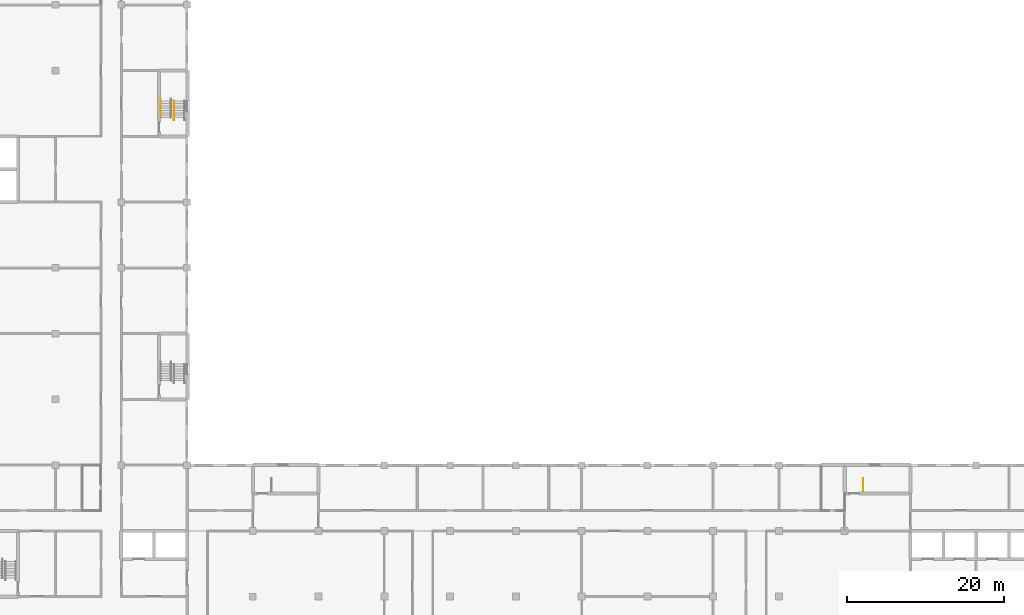
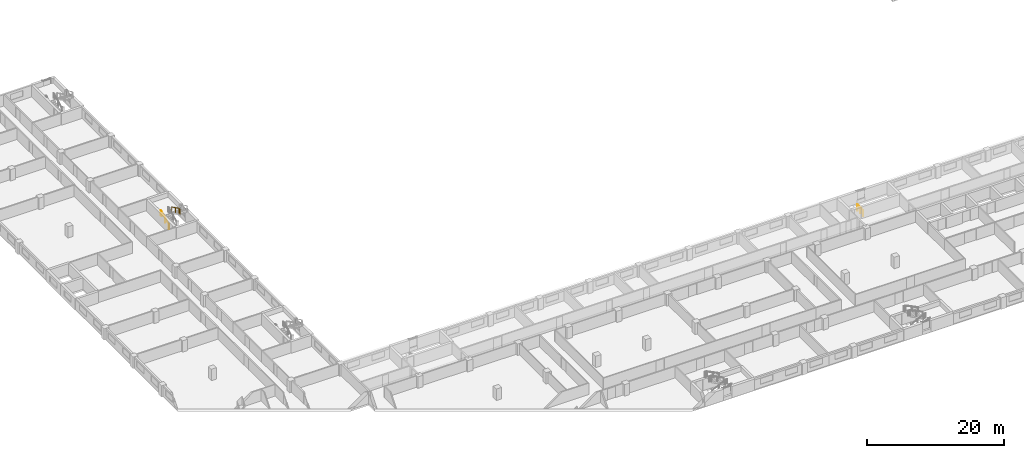
# One storey, part 46 of 48: 3 railings.
"""IFC4 building model written with IfcOpenShell, lengths in metres."""

import ifcopenshell
import ifcopenshell.guid

model = None  # the IFC model being written
_history = None  # IfcOwnerHistory: only IFC2X3 demands one
_inside = {}  # id of a spatial element -> (the spatial element, [elements in it])
_under = {}  # id of a project, library or spatial element -> (it, [spatial elements below it])
_declared = {}  # id of a project -> (the project, [libraries it declares])
_typed = {}  # id of a type object -> (the type object, [elements of that type])
_made_of = {}  # id of a material, layer set ... -> (it, [elements and type objects made of it])


def new_model(schema):
    """Start an empty IFC model of exactly this schema.

    Asked for "IFC4X3", IfcOpenShell would pick the latest addendum, in which some entities
    have other attributes; the version numbers below select the first issue.
    IFC2X3 requires an IfcOwnerHistory on every rooted entity: one is made here for all.
    """
    global model, _history
    if schema == "IFC4X3":
        model = ifcopenshell.file(schema_version=(4, 3, 0, 0))
    else:
        model = ifcopenshell.file(schema=schema)
    _inside.clear()
    _under.clear()
    _declared.clear()
    _typed.clear()
    _made_of.clear()
    _history = None
    if model.schema == "IFC2X3":
        org = make("IfcOrganization", Name="unknown")
        user = make(
            "IfcPersonAndOrganization",
            ThePerson=make("IfcPerson", FamilyName="unknown"),
            TheOrganization=org,
        )
        app = make(
            "IfcApplication",
            ApplicationDeveloper=org,
            Version="unknown",
            ApplicationFullName="unknown",
            ApplicationIdentifier="unknown",
        )
        _history = make(
            "IfcOwnerHistory",
            OwningUser=user,
            OwningApplication=app,
            ChangeAction="ADDED",
            CreationDate=0,
        )
    return model


def make(cls, **values):
    """One entity of the class cls with the attributes given. An attribute that is None is left unset."""
    return model.create_entity(
        cls, **{name: value for name, value in values.items() if value is not None}
    )


def rooted(cls, **values):
    """An entity with a GlobalId (a new one), such as an element, a storey or a relation."""
    return make(cls, GlobalId=ifcopenshell.guid.new(), OwnerHistory=_history, **values)


def si_unit(unit_type, name, prefix=None):
    """IfcSIUnit, for example si_unit("LENGTHUNIT", "METRE", prefix="MILLI")."""
    return make("IfcSIUnit", UnitType=unit_type, Prefix=prefix, Name=name)


def assignment(units):
    """IfcUnitAssignment: the units of a project."""
    return None if units is None else make("IfcUnitAssignment", Units=units)


def point(xyz):
    """IfcCartesianPoint."""
    return None if xyz is None else make("IfcCartesianPoint", Coordinates=xyz)


def direction(xyz):
    """IfcDirection."""
    return None if xyz is None else make("IfcDirection", DirectionRatios=xyz)


def frame(location, z_axis=None, x_axis=None):
    """IfcAxis2Placement3D, a coordinate frame: its origin and axes. An axis left out is left unset."""
    return make(
        "IfcAxis2Placement3D",
        Location=point(location),
        Axis=direction(z_axis),
        RefDirection=direction(x_axis),
    )


def frame_2d(location, x_axis=None):
    """IfcAxis2Placement2D, a coordinate frame in the plane: its origin and x axis."""
    return make(
        "IfcAxis2Placement2D", Location=point(location), RefDirection=direction(x_axis)
    )


def origin():
    """The frame at (0, 0, 0) with its axes left unset."""
    return frame((0.0, 0.0, 0.0))


def origin_2d():
    """The frame at (0, 0) in the plane with its x axis left unset."""
    return frame_2d((0.0, 0.0))


def place(relative_to, where):
    """IfcLocalPlacement: puts the frame where relative to a parent placement (None: the world)."""
    return make(
        "IfcLocalPlacement", PlacementRelTo=relative_to, RelativePlacement=where
    )


def context(
    kind, dimensions, precision=None, world=None, true_north=None, identifier=None
):
    """IfcGeometricRepresentationContext, for example the 3D "Model" context."""
    return make(
        "IfcGeometricRepresentationContext",
        ContextIdentifier=identifier,
        ContextType=kind,
        CoordinateSpaceDimension=dimensions,
        Precision=precision,
        WorldCoordinateSystem=world,
        TrueNorth=true_north,
    )


def subcontext(parent, identifier, kind, view, scale=None):
    """IfcGeometricRepresentationSubContext, for example "Body" below "Model"."""
    return make(
        "IfcGeometricRepresentationSubContext",
        ContextIdentifier=identifier,
        ContextType=kind,
        ParentContext=parent,
        TargetScale=scale,
        TargetView=view,
    )


def project(units=None, contexts=None):
    """IfcProject with its units and contexts."""
    return rooted(
        "IfcProject",
        Name="project",
        RepresentationContexts=contexts,
        UnitsInContext=assignment(units),
    )


def spatial(cls, under=None, at=None, **own):
    """A site, building, storey or space (cls), placed at a placement, below another one or the project."""
    s = rooted(cls, ObjectPlacement=at, **own)
    if under is not None:
        _under.setdefault(under.id(), (under, []))[1].append(s)
    return s


def profile(cls, at=None, kind="AREA", **sizes):
    """A parametric profile (cls). Its sizes go by their IFC names, for example OverallWidth=200.0."""
    return make(cls, ProfileType=kind, Position=at, **sizes)


def circle(**sizes):
    """IfcCircleProfileDef."""
    return profile("IfcCircleProfileDef", **sizes)


def extrude(swept, where, along, depth):
    """IfcExtrudedAreaSolid: the profile swept, set in the frame where, extruded along a direction by depth."""
    return make(
        "IfcExtrudedAreaSolid",
        SweptArea=swept,
        Position=where,
        ExtrudedDirection=direction(along),
        Depth=depth,
    )


def shape(context_of_items, identifier, shape_type, items):
    """IfcShapeRepresentation: the items that make up one representation, for example the "Body"."""
    return make(
        "IfcShapeRepresentation",
        ContextOfItems=context_of_items,
        RepresentationIdentifier=identifier,
        RepresentationType=shape_type,
        Items=items,
    )


def material(Name=None, Category=None):
    """IfcMaterial."""
    return make("IfcMaterial", Name=Name, Category=Category)


def made_of(thing, what):
    """Note that an element or type object is made of a material, layer set ...; save() writes the relation."""
    if what is not None:
        _made_of.setdefault(what.id(), (what, []))[1].append(thing)
    return thing


def type_object(cls, material=None, **own):
    """A type object (cls), such as IfcWallType, which elements share."""
    return made_of(rooted(cls, **own), material)


def element(
    cls,
    number,
    at=None,
    inside=None,
    cuts=None,
    type_object=None,
    material=None,
    context=None,
    identifier="Body",
    shape_type=None,
    held_by="IfcProductDefinitionShape",
    body=None,
    shapes=None,
    **own,
):
    """One element of the class cls, such as IfcWall. Its Tag is "e" and its number.

    at: its placement. inside: the storey or other place that contains it. cuts: it is an
    opening in that element (IfcRelVoidsElement). A single representation is given by context,
    identifier, shape_type and body (its items); several are given by shapes. held_by: the class
    of the entity that holds the representations. save() writes the other relations.
    """
    e = rooted(cls, Tag="e%d" % number, ObjectPlacement=at, **own)
    if body is not None:
        shapes = [shape(context, identifier, shape_type, body)]
    if shapes is not None:
        e.Representation = make(held_by, Representations=shapes)
    if inside is not None:
        _inside.setdefault(inside.id(), (inside, []))[1].append(e)
    if cuts is not None:
        rooted(
            "IfcRelVoidsElement", RelatingBuildingElement=cuts, RelatedOpeningElement=e
        )
    if type_object is not None:
        _typed.setdefault(type_object.id(), (type_object, []))[1].append(e)
    return made_of(e, material)


def aggregate(whole, parts):
    """IfcRelAggregates: a whole, such as a stair, and the parts it consists of."""
    return rooted("IfcRelAggregates", RelatingObject=whole, RelatedObjects=parts)


def save(model, path):
    """Write the relations noted so far, then the file.

    IfcRelAggregates (storeys below a building ...), IfcRelContainedInSpatialStructure (elements
    in a storey), IfcRelDefinesByType, IfcRelAssociatesMaterial and IfcRelDeclares: one each for
    every whole, place, type object, material and project.
    """
    for whole, parts in _under.values():
        aggregate(whole, parts)
    for where, things in _inside.values():
        rooted(
            "IfcRelContainedInSpatialStructure",
            RelatedElements=things,
            RelatingStructure=where,
        )
    for kind, things in _typed.values():
        rooted("IfcRelDefinesByType", RelatedObjects=things, RelatingType=kind)
    for what, things in _made_of.values():
        rooted("IfcRelAssociatesMaterial", RelatedObjects=things, RelatingMaterial=what)
    for by, libraries in _declared.values():
        rooted("IfcRelDeclares", RelatingContext=by, RelatedDefinitions=libraries)
    model.write(path)


model = new_model("IFC4")

# Units and contexts
model_context = context("Model", 3, precision=1e-05, world=origin(), true_north=direction((0.0, 1.0)))
body_context = subcontext(model_context, "Body", "Model", "MODEL_VIEW")
ifc_project = project(units=[si_unit("LENGTHUNIT", "METRE"), si_unit("AREAUNIT", "SQUARE_METRE"), si_unit("VOLUMEUNIT", "CUBIC_METRE"), si_unit("PLANEANGLEUNIT", "RADIAN"), si_unit("MASSUNIT", "GRAM", prefix="KILO")], contexts=[model_context])

# Site, building, storey
site_placement = place(None, origin())
site = spatial("IfcSite", under=ifc_project, at=site_placement, CompositionType="ELEMENT")
building_placement = place(site_placement, origin())
building = spatial("IfcBuilding", under=site, at=building_placement, Name="Yavir Park General Hospital", CompositionType="ELEMENT")
storey_placement = place(building_placement, frame((0.0, 0.0, 12.89990234375)))
storey = spatial("IfcBuildingStorey", under=building, at=storey_placement, Name="I02", CompositionType="ELEMENT", Elevation=12.89990234375)

# Railings
ifc_material_1 = material(Name="Steel balustrade with infill rods", Category="steel")
railing_type_1 = type_object("IfcRailingType", Name="Stair guard, steel balustrade 1100 mm", PredefinedType="GUARDRAIL", material=ifc_material_1)
railing_1_placement = place(storey_placement, frame((111.570068359375, 30.22998046875, 0.0)))
element("IfcRailing", 1, at=railing_1_placement, inside=storey, type_object=railing_type_1, Name="Stair well guard PN2 I02", PredefinedType="GUARDRAIL", context=body_context, shape_type="SweptSolid", body=[
    extrude(circle(Radius=0.02392578125, at=origin_2d()), frame((0.0, 0.0, 1.076171875), z_axis=(0.0, 1.0, 0.0), x_axis=(-1.0, 0.0, 0.0)), (0.0, 0.0, 1.0), 1.669921875),
    extrude(circle(Radius=0.02099609375, at=origin_2d()), origin(), (0.0, 0.0, 1.0), 1.052001953125),
    extrude(circle(Radius=0.02099609375, at=origin_2d()), frame((0.0, 0.8349609375, 0.0)), (0.0, 0.0, 1.0), 1.052001953125),
    extrude(circle(Radius=0.02099609375, at=origin_2d()), frame((0.0, 1.669921875, 0.0)), (0.0, 0.0, 1.0), 1.052001953125),
])
ifc_material_2 = material(Name="Stainless steel tube 48 mm", Category="steel")
railing_type_2 = type_object("IfcRailingType", Name="Stair handrail, steel tube, 900 mm above the nosings", PredefinedType="HANDRAIL", material=ifc_material_2)
railing_2_placement = place(storey_placement, frame((21.840087890625, 78.0, 0.150146484375)))
element("IfcRailing", 2, at=railing_2_placement, inside=storey, type_object=railing_type_2, Name="Handrail SW2 I02 1", PredefinedType="HANDRAIL", context=body_context, shape_type="SweptSolid", body=[
    extrude(circle(Radius=0.02392578125, at=origin_2d()), frame((0.0, 0.0, 0.8759765625), z_axis=(0.0, 0.894427191, 0.4472135955), x_axis=(-1.0, 0.0, 0.0)), (0.0, 0.0, 1.0), 2.347900390625),
    extrude(circle(Radius=0.02392578125, at=origin_2d()), frame((0.0, 2.10009765625, 1.92578125), z_axis=(0.0, 1.0, 0.0), x_axis=(-1.0, 0.0, 0.0)), (0.0, 0.0, 1.0), 0.2998046875),
    extrude(circle(Radius=0.02099609375, at=origin_2d()), origin(), (0.0, 0.0, 1.0), 0.851806640625),
    extrude(circle(Radius=0.02099609375, at=origin_2d()), frame((0.0, 1.050048828125, 0.52490234375)), (0.0, 0.0, 1.0), 0.851806640625),
    extrude(circle(Radius=0.02099609375, at=origin_2d()), frame((0.0, 2.10009765625, 1.050048828125)), (0.0, 0.0, 1.0), 0.851806640625),
    extrude(circle(Radius=0.02099609375, at=origin_2d()), frame((0.0, 2.39990234375, 1.050048828125)), (0.0, 0.0, 1.0), 0.851806640625),
])
railing_3_placement = place(storey_placement, frame((23.5400390625, 80.10009765625, 1.35009765625)))
element("IfcRailing", 3, at=railing_3_placement, inside=storey, type_object=railing_type_2, Name="Handrail SW2 I02 4", PredefinedType="HANDRAIL", context=body_context, shape_type="SweptSolid", body=[
    extrude(circle(Radius=0.02392578125, at=origin_2d()), frame((0.0, 0.0, 0.8759765625), z_axis=(0.0, -0.894427191, 0.4472135955), x_axis=(1.0, 0.0, 0.0)), (0.0, 0.0, 1.0), 2.347900390625),
    extrude(circle(Radius=0.02392578125, at=origin_2d()), frame((0.0, -2.10009765625, 1.92578125), z_axis=(0.0, -1.0, 0.0), x_axis=(1.0, 0.0, 0.0)), (0.0, 0.0, 1.0), 0.300048828125),
    extrude(circle(Radius=0.02099609375, at=origin_2d()), origin(), (0.0, 0.0, 1.0), 0.851806640625),
    extrude(circle(Radius=0.02099609375, at=origin_2d()), frame((0.0, -1.050048828125, 0.52490234375)), (0.0, 0.0, 1.0), 0.851806640625),
    extrude(circle(Radius=0.02099609375, at=origin_2d()), frame((0.0, -2.10009765625, 1.050048828125)), (0.0, 0.0, 1.0), 0.851806640625),
    extrude(circle(Radius=0.02099609375, at=origin_2d()), frame((0.0, -2.400146484375, 1.050048828125)), (0.0, 0.0, 1.0), 0.851806640625),
])

save(model, "model.ifc")
